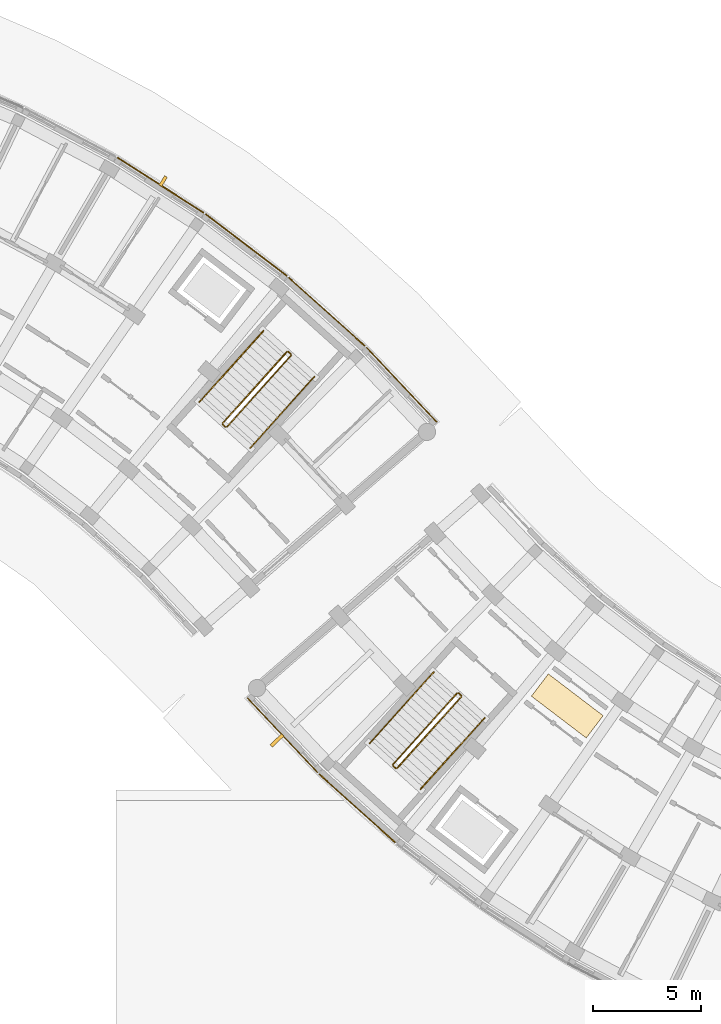
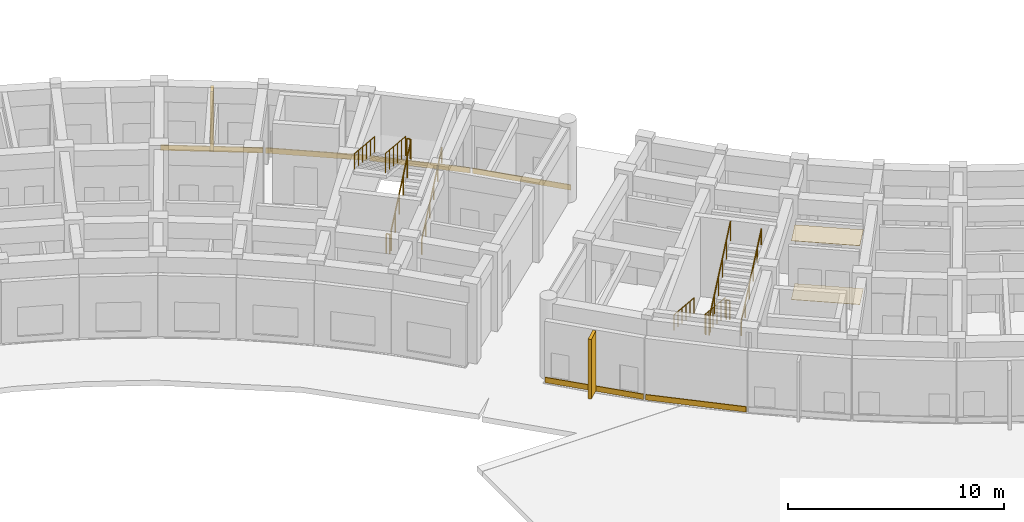
# One storey, part 56 of 61: 12 railings, 8 coverings, 2 shading devices.
"""IFC4 building model written with IfcOpenShell, lengths in metres."""

from ifc_helpers import new_model, si_unit, direction, frame, origin, origin_2d, place, context, subcontext, project, spatial, rectangle, circle, extrude, material, layer, layer_set, type_object, element, save


model = new_model("IFC4")

# Units and contexts
model_context = context("Model", 3, precision=1e-05, world=origin(), true_north=direction((0.0, 1.0)))
body_context = subcontext(model_context, "Body", "Model", "MODEL_VIEW")
ifc_project = project(units=[si_unit("LENGTHUNIT", "METRE"), si_unit("AREAUNIT", "SQUARE_METRE"), si_unit("VOLUMEUNIT", "CUBIC_METRE"), si_unit("PLANEANGLEUNIT", "RADIAN"), si_unit("MASSUNIT", "GRAM", prefix="KILO")], contexts=[model_context])

# Site, building, storey
site_placement = place(None, origin())
site = spatial("IfcSite", under=ifc_project, at=site_placement, CompositionType="ELEMENT")
building_placement = place(site_placement, origin())
building = spatial("IfcBuilding", under=site, at=building_placement, Name="Zimvara Arc Housing Community", CompositionType="ELEMENT")
storey_placement = place(building_placement, origin())
storey = spatial("IfcBuildingStorey", under=building, at=storey_placement, Name="L00", CompositionType="ELEMENT", Elevation=0.0)

# Coverings
ifc_material_1 = material(Name="Pale-Gold Anodised Aluminium Cladding", Category="aluminium")
ifc_layer_1 = layer(ifc_material_1, 0.0400390625)
ifc_layer_set_1 = layer_set([ifc_layer_1], Name="Pale-Gold Anodised Aluminium Cladding")
covering_type_1 = type_object("IfcCoveringType", Name="CLD-GOLD-01", PredefinedType="CLADDING", material=ifc_layer_set_1)
for number, where, z_axis, x_axis, name in (
    (1, (84.78076171875, 88.712158203125, 0.009765625), (0.0, 0.0, 1.0), (0.74337718344, -0.668872456557, 0.0), "cld:blkB:L00:out:b8"),
    (2, (82.72607421875, 69.04248046875, 0.009765625), (0.0, 0.0, 1.0), (0.686326266989, -0.727293788809, 0.0), "cld:blkC:L00:out:b0"),
):
    element("IfcCovering", number, at=place(storey_placement, frame(where, z_axis=z_axis, x_axis=x_axis)), inside=storey, type_object=covering_type_1, Name=name, PredefinedType="CLADDING", context=body_context, shape_type="SweptSolid", body=[
        extrude(rectangle(XDim=4.748779296875, YDim=0.0400390625, at=origin_2d()), origin(), (0.0, 0.0, 1.0), 0.300048828125),
    ])
ifc_material_2 = material(Name="Pale-Gold Anodised Aluminium Cladding", Category="aluminium")
ifc_layer_2 = layer(ifc_material_2, 0.044921875)
ifc_layer_set_2 = layer_set([ifc_layer_2], Name="Pale-Gold Anodised Aluminium Cladding")
covering_type_2 = type_object("IfcCoveringType", Name="CLD-GOLD-02", PredefinedType="CLADDING", material=ifc_layer_set_2)
for number, where, z_axis, x_axis, name in (
    (3, (88.259521484375, 85.32275390625, 0.009765625), (0.0, 0.0, 1.0), (0.686326266989, -0.727293788809, 0.0), "cld:blkB:L00:out:b9"),
    (4, (86.197509765625, 65.64599609375, 0.009765625), (0.0, 0.0, 1.0), (0.74337718344, -0.668872456557, 0.0), "cld:blkC:L00:out:b1"),
):
    element("IfcCovering", number, at=place(storey_placement, frame(where, z_axis=z_axis, x_axis=x_axis)), inside=storey, type_object=covering_type_2, Name=name, PredefinedType="CLADDING", context=body_context, shape_type="SweptSolid", body=[
        extrude(rectangle(XDim=4.748779296875, YDim=0.044921875, at=origin_2d()), origin(), (0.0, 0.0, 1.0), 0.300048828125),
    ])
ifc_material_3 = material(Name="Pale-Gold Anodised Aluminium Cladding", Category="aluminium")
ifc_layer_3 = layer(ifc_material_3, 0.050048828125)
ifc_layer_set_3 = layer_set([ifc_layer_3], Name="Pale-Gold Anodised Aluminium Cladding")
covering_type_3 = type_object("IfcCoveringType", Name="CLD-GOLD-03", PredefinedType="CLADDING", material=ifc_layer_set_3)
covering_1_placement = place(storey_placement, frame((77.060546875, 94.59326171875, 0.009765625), z_axis=(0.0, 0.0, 1.0), x_axis=(0.842265220048, -0.53906335351, 0.0)))
element("IfcCovering", 5, at=covering_1_placement, inside=storey, type_object=covering_type_3, Name="cld:blkB:L00:out:b6", PredefinedType="CLADDING", context=body_context, shape_type="SweptSolid", body=[
    extrude(rectangle(XDim=4.748779296875, YDim=0.050048828125, at=origin_2d()), origin(), (0.0, 0.0, 1.0), 0.300048828125),
])
ifc_material_4 = material(Name="Pale-Gold Anodised Aluminium Cladding", Category="aluminium")
ifc_layer_4 = layer(ifc_material_4, 0.054931640625)
ifc_layer_set_4 = layer_set([ifc_layer_4], Name="Pale-Gold Anodised Aluminium Cladding")
covering_type_4 = type_object("IfcCoveringType", Name="CLD-GOLD-04", PredefinedType="CLADDING", material=ifc_layer_set_4)
covering_2_placement = place(storey_placement, frame((81.044189453125, 91.814697265625, 0.009765625), z_axis=(0.0, 0.0, 1.0), x_axis=(0.795474538503, -0.605987011902, 0.0)))
element("IfcCovering", 6, at=covering_2_placement, inside=storey, type_object=covering_type_4, Name="cld:blkB:L00:out:b7", PredefinedType="CLADDING", context=body_context, shape_type="SweptSolid", body=[
    extrude(rectangle(XDim=4.748779296875, YDim=0.054931640625, at=origin_2d()), origin(), (0.0, 0.0, 1.0), 0.300048828125),
])
ifc_material_5 = material(Name="Perforated Acoustic Ceiling Board")
ifc_layer_5 = layer(ifc_material_5, 0.01806640625)
ifc_layer_set_5 = layer_set([ifc_layer_5], Name="Perforated Acoustic Ceiling Board")
covering_type_5 = type_object("IfcCoveringType", Name="COV-CEIL-01", PredefinedType="CEILING", material=ifc_layer_set_5)
covering_3_placement = place(storey_placement, frame((95.954833984375, 70.40087890625, 3.322021484375), z_axis=(0.0, 0.0, 1.0), x_axis=(-0.605988400266, -0.795473480855, 0.0)))
element("IfcCovering", 7, at=covering_3_placement, inside=storey, type_object=covering_type_5, Name="ceil:blkC:L00", PredefinedType="CEILING", context=body_context, shape_type="SweptSolid", body=[
    extrude(rectangle(XDim=1.300048828125, YDim=3.199951171875, at=origin_2d()), origin(), (0.0, 0.0, 1.0), 0.01806640625),
])
ifc_material_6 = material(Name="Polished Coastal Sand Terrazzo")
ifc_layer_6 = layer(ifc_material_6, 0.02001953125)
ifc_layer_set_6 = layer_set([ifc_layer_6], Name="Polished Coastal Sand Terrazzo")
covering_type_6 = type_object("IfcCoveringType", Name="COV-FLOR-01", PredefinedType="FLOORING", material=ifc_layer_set_6)
covering_4_placement = place(storey_placement, frame((95.954833984375, 70.40087890625, 0.0), z_axis=(0.0, 0.0, 1.0), x_axis=(-0.605988400266, -0.795473480855, 0.0)))
element("IfcCovering", 8, at=covering_4_placement, inside=storey, type_object=covering_type_6, Name="flor:blkC:L00", PredefinedType="FLOORING", context=body_context, shape_type="SweptSolid", body=[
    extrude(rectangle(XDim=1.300048828125, YDim=3.199951171875, at=origin_2d()), origin(), (0.0, 0.0, 1.0), 0.02001953125),
])

# Railings
ifc_material_7 = material(Name="Anodised Aluminium AW-6063", Category="aluminium")
railing_type_1 = type_object("IfcRailingType", Name="RLG-BAL-1120", PredefinedType="BALUSTRADE", material=ifc_material_7)
railing_1_placement = place(storey_placement, frame((80.1455078125, 83.365966796875, 0.14990234375)))
element("IfcRailing", 9, at=railing_1_placement, inside=storey, type_object=railing_type_1, Name="L00 ST-B2 stair guard 1", PredefinedType="BALUSTRADE", context=body_context, shape_type="SweptSolid", body=[
    extrude(circle(Radius=0.02392578125, at=origin_2d()), frame((0.0, 0.0, 1.09619140625), z_axis=(0.604934946501, 0.672337307106, 0.426633632025), x_axis=(-0.74338684902, 0.668861714186, 0.0)), (0.0, 0.0, 1.0), 4.92236328125),
    extrude(circle(Radius=0.02099609375, at=origin_2d()), origin(), (0.0, 0.0, 1.0), 1.072021484375),
    extrude(circle(Radius=0.02099609375, at=origin_2d()), frame((0.595458984375, 0.661865234375, 0.419921875)), (0.0, 0.0, 1.0), 1.072021484375),
    extrude(circle(Radius=0.02099609375, at=origin_2d()), frame((1.191162109375, 1.32373046875, 0.840087890625)), (0.0, 0.0, 1.0), 1.072021484375),
    extrude(circle(Radius=0.02099609375, at=origin_2d()), frame((1.78662109375, 1.98583984375, 1.260009765625)), (0.0, 0.0, 1.0), 1.072021484375),
    extrude(circle(Radius=0.02099609375, at=origin_2d()), frame((2.38232421875, 2.647705078125, 1.68017578125)), (0.0, 0.0, 1.0), 1.072021484375),
    extrude(circle(Radius=0.02099609375, at=origin_2d()), frame((2.977783203125, 3.3095703125, 2.10009765625)), (0.0, 0.0, 1.0), 1.072021484375),
])
railing_2_placement = place(storey_placement, frame((83.11962890625, 86.74609375, 2.25)))
element("IfcRailing", 10, at=railing_2_placement, inside=storey, type_object=railing_type_1, Name="L00 ST-B2 stair guard 2", PredefinedType="BALUSTRADE", context=body_context, shape_type="SweptSolid", body=[
    extrude(circle(Radius=0.02392578125, at=origin_2d()), frame((0.0, 0.0, 1.09619140625), z_axis=(-0.742763048172, 0.669554369913, 0.0), x_axis=(-0.669554369913, -0.742763048172, 0.0)), (0.0, 0.0, 1.0), 0.16015625),
    extrude(circle(Radius=0.02099609375, at=origin_2d()), origin(), (0.0, 0.0, 1.0), 1.072021484375),
    extrude(circle(Radius=0.02099609375, at=origin_2d()), frame((-0.118896484375, 0.107177734375, 0.0)), (0.0, 0.0, 1.0), 1.072021484375),
])
railing_3_placement = place(storey_placement, frame((82.929931640625, 86.849609375, 2.39990234375)))
element("IfcRailing", 11, at=railing_3_placement, inside=storey, type_object=railing_type_1, Name="L00 ST-B2 stair guard 3", PredefinedType="BALUSTRADE", context=body_context, shape_type="SweptSolid", body=[
    extrude(circle(Radius=0.02392578125, at=origin_2d()), frame((0.0, 0.0, 1.09619140625), z_axis=(-0.604934946501, -0.672337307106, 0.426633632025), x_axis=(0.74338684902, -0.668861714186, 0.0)), (0.0, 0.0, 1.0), 4.92236328125),
    extrude(circle(Radius=0.02099609375, at=origin_2d()), origin(), (0.0, 0.0, 1.0), 1.072021484375),
    extrude(circle(Radius=0.02099609375, at=origin_2d()), frame((-0.595458984375, -0.661865234375, 0.419921875)), (0.0, 0.0, 1.0), 1.072021484375),
    extrude(circle(Radius=0.02099609375, at=origin_2d()), frame((-1.191162109375, -1.32373046875, 0.840087890625)), (0.0, 0.0, 1.0), 1.072021484375),
    extrude(circle(Radius=0.02099609375, at=origin_2d()), frame((-1.78662109375, -1.98583984375, 1.260009765625)), (0.0, 0.0, 1.0), 1.072021484375),
    extrude(circle(Radius=0.02099609375, at=origin_2d()), frame((-2.38232421875, -2.647705078125, 1.68017578125)), (0.0, 0.0, 1.0), 1.072021484375),
    extrude(circle(Radius=0.02099609375, at=origin_2d()), frame((-2.977783203125, -3.3095703125, 2.10009765625)), (0.0, 0.0, 1.0), 1.072021484375),
])
railing_4_placement = place(storey_placement, frame((80.074951171875, 83.3623046875, 0.0)))
element("IfcRailing", 12, at=railing_4_placement, inside=storey, type_object=railing_type_1, Name="L00 ST-B2 stair guard 4", PredefinedType="BALUSTRADE", context=body_context, shape_type="SweptSolid", body=[
    extrude(circle(Radius=0.02392578125, at=origin_2d()), frame((0.0, 0.0, 1.09619140625), z_axis=(-0.742763048172, 0.669554369913, 0.0), x_axis=(-0.669554369913, -0.742763048172, 0.0)), (0.0, 0.0, 1.0), 0.16015625),
    extrude(circle(Radius=0.02099609375, at=origin_2d()), origin(), (0.0, 0.0, 1.0), 1.072021484375),
    extrude(circle(Radius=0.02099609375, at=origin_2d()), frame((-0.118896484375, 0.107177734375, 0.0)), (0.0, 0.0, 1.0), 1.072021484375),
])
railing_5_placement = place(storey_placement, frame((90.83447265625, 70.993896484375, 0.14990234375)))
element("IfcRailing", 13, at=railing_5_placement, inside=storey, type_object=railing_type_1, Name="L00 ST-C1 stair guard 1", PredefinedType="BALUSTRADE", context=body_context, shape_type="SweptSolid", body=[
    extrude(circle(Radius=0.02392578125, at=origin_2d()), frame((0.0, 0.0, 1.09619140625), z_axis=(-0.604934946501, -0.672337307106, 0.426633632025), x_axis=(0.74338684902, -0.668861714186, 0.0)), (0.0, 0.0, 1.0), 4.92236328125),
    extrude(circle(Radius=0.02099609375, at=origin_2d()), origin(), (0.0, 0.0, 1.0), 1.072021484375),
    extrude(circle(Radius=0.02099609375, at=origin_2d()), frame((-0.595458984375, -0.661865234375, 0.419921875)), (0.0, 0.0, 1.0), 1.072021484375),
    extrude(circle(Radius=0.02099609375, at=origin_2d()), frame((-1.191162109375, -1.32373046875, 0.840087890625)), (0.0, 0.0, 1.0), 1.072021484375),
    extrude(circle(Radius=0.02099609375, at=origin_2d()), frame((-1.78662109375, -1.98583984375, 1.260009765625)), (0.0, 0.0, 1.0), 1.072021484375),
    extrude(circle(Radius=0.02099609375, at=origin_2d()), frame((-2.38232421875, -2.647705078125, 1.68017578125)), (0.0, 0.0, 1.0), 1.072021484375),
    extrude(circle(Radius=0.02099609375, at=origin_2d()), frame((-2.977783203125, -3.3095703125, 2.10009765625)), (0.0, 0.0, 1.0), 1.072021484375),
])
railing_6_placement = place(storey_placement, frame((87.8603515625, 67.61376953125, 2.25)))
element("IfcRailing", 14, at=railing_6_placement, inside=storey, type_object=railing_type_1, Name="L00 ST-C1 stair guard 2", PredefinedType="BALUSTRADE", context=body_context, shape_type="SweptSolid", body=[
    extrude(circle(Radius=0.02392578125, at=origin_2d()), frame((0.0, 0.0, 1.09619140625), z_axis=(0.743521848755, -0.668711642207, 0.0), x_axis=(0.668711642207, 0.743521848755, 0.0)), (0.0, 0.0, 1.0), 0.159912109375),
    extrude(circle(Radius=0.02099609375, at=origin_2d()), origin(), (0.0, 0.0, 1.0), 1.072021484375),
    extrude(circle(Radius=0.02099609375, at=origin_2d()), frame((0.118896484375, -0.10693359375, 0.0)), (0.0, 0.0, 1.0), 1.072021484375),
])
railing_7_placement = place(storey_placement, frame((88.050048828125, 67.510498046875, 2.39990234375)))
element("IfcRailing", 15, at=railing_7_placement, inside=storey, type_object=railing_type_1, Name="L00 ST-C1 stair guard 3", PredefinedType="BALUSTRADE", context=body_context, shape_type="SweptSolid", body=[
    extrude(circle(Radius=0.02392578125, at=origin_2d()), frame((0.0, 0.0, 1.09619140625), z_axis=(0.604934946501, 0.672337307106, 0.426633632025), x_axis=(-0.74338684902, 0.668861714186, 0.0)), (0.0, 0.0, 1.0), 4.92236328125),
    extrude(circle(Radius=0.02099609375, at=origin_2d()), origin(), (0.0, 0.0, 1.0), 1.072021484375),
    extrude(circle(Radius=0.02099609375, at=origin_2d()), frame((0.595458984375, 0.661865234375, 0.419921875)), (0.0, 0.0, 1.0), 1.072021484375),
    extrude(circle(Radius=0.02099609375, at=origin_2d()), frame((1.191162109375, 1.32373046875, 0.840087890625)), (0.0, 0.0, 1.0), 1.072021484375),
    extrude(circle(Radius=0.02099609375, at=origin_2d()), frame((1.78662109375, 1.98583984375, 1.260009765625)), (0.0, 0.0, 1.0), 1.072021484375),
    extrude(circle(Radius=0.02099609375, at=origin_2d()), frame((2.38232421875, 2.647705078125, 1.68017578125)), (0.0, 0.0, 1.0), 1.072021484375),
    extrude(circle(Radius=0.02099609375, at=origin_2d()), frame((2.977783203125, 3.3095703125, 2.10009765625)), (0.0, 0.0, 1.0), 1.072021484375),
])
railing_8_placement = place(storey_placement, frame((90.905029296875, 70.99755859375, 0.0)))
element("IfcRailing", 16, at=railing_8_placement, inside=storey, type_object=railing_type_1, Name="L00 ST-C1 stair guard 4", PredefinedType="BALUSTRADE", context=body_context, shape_type="SweptSolid", body=[
    extrude(circle(Radius=0.02392578125, at=origin_2d()), frame((0.0, 0.0, 1.09619140625), z_axis=(0.744203407529, -0.667953058397, 0.0), x_axis=(0.667953058397, 0.744203407529, 0.0)), (0.0, 0.0, 1.0), 0.16015625),
    extrude(circle(Radius=0.02099609375, at=origin_2d()), origin(), (0.0, 0.0, 1.0), 1.072021484375),
    extrude(circle(Radius=0.02099609375, at=origin_2d()), frame((0.119140625, -0.10693359375, 0.0)), (0.0, 0.0, 1.0), 1.072021484375),
])
ifc_material_8 = material(Name="Anodised Aluminium AW-6063", Category="aluminium")
railing_type_2 = type_object("IfcRailingType", Name="RLG-HND-900", PredefinedType="HANDRAIL", material=ifc_material_8)
railing_9_placement = place(storey_placement, frame((81.230712890625, 82.389404296875, 0.14990234375)))
element("IfcRailing", 17, at=railing_9_placement, inside=storey, type_object=railing_type_2, Name="L00 ST-B2 stair handrail 1", PredefinedType="HANDRAIL", context=body_context, shape_type="SweptSolid", body=[
    extrude(circle(Radius=0.02392578125, at=origin_2d()), frame((0.0, 0.0, 0.8759765625), z_axis=(0.604966392266, 0.672317135067, 0.426620831798), x_axis=(-0.743359582581, 0.668892017433, 0.0)), (0.0, 0.0, 1.0), 4.922607421875),
    extrude(circle(Radius=0.02099609375, at=origin_2d()), origin(), (0.0, 0.0, 1.0), 0.851806640625),
    extrude(circle(Radius=0.02099609375, at=origin_2d()), frame((0.595703125, 0.661865234375, 0.419921875)), (0.0, 0.0, 1.0), 0.851806640625),
    extrude(circle(Radius=0.02099609375, at=origin_2d()), frame((1.191162109375, 1.32373046875, 0.840087890625)), (0.0, 0.0, 1.0), 0.851806640625),
    extrude(circle(Radius=0.02099609375, at=origin_2d()), frame((1.786865234375, 1.98583984375, 1.260009765625)), (0.0, 0.0, 1.0), 0.851806640625),
    extrude(circle(Radius=0.02099609375, at=origin_2d()), frame((2.38232421875, 2.647705078125, 1.68017578125)), (0.0, 0.0, 1.0), 0.851806640625),
    extrude(circle(Radius=0.02099609375, at=origin_2d()), frame((2.97802734375, 3.3095703125, 2.10009765625)), (0.0, 0.0, 1.0), 0.851806640625),
])
for number, where, name in (
    (18, (81.8447265625, 87.826171875, 2.39990234375), "L00 ST-B2 stair handrail 2"),
    (19, (89.749267578125, 71.970458984375, 0.14990234375), "L00 ST-C1 stair handrail 1"),
):
    element("IfcRailing", number, at=place(storey_placement, frame(where)), inside=storey, type_object=railing_type_2, Name=name, PredefinedType="HANDRAIL", context=body_context, shape_type="SweptSolid", body=[
        extrude(circle(Radius=0.02392578125, at=origin_2d()), frame((0.0, 0.0, 0.8759765625), z_axis=(-0.604934946501, -0.672337307106, 0.426633632025), x_axis=(0.74338684902, -0.668861714186, 0.0)), (0.0, 0.0, 1.0), 4.92236328125),
        extrude(circle(Radius=0.02099609375, at=origin_2d()), origin(), (0.0, 0.0, 1.0), 0.851806640625),
        extrude(circle(Radius=0.02099609375, at=origin_2d()), frame((-0.595458984375, -0.661865234375, 0.419921875)), (0.0, 0.0, 1.0), 0.851806640625),
        extrude(circle(Radius=0.02099609375, at=origin_2d()), frame((-1.191162109375, -1.32373046875, 0.840087890625)), (0.0, 0.0, 1.0), 0.851806640625),
        extrude(circle(Radius=0.02099609375, at=origin_2d()), frame((-1.78662109375, -1.98583984375, 1.260009765625)), (0.0, 0.0, 1.0), 0.851806640625),
        extrude(circle(Radius=0.02099609375, at=origin_2d()), frame((-2.38232421875, -2.647705078125, 1.68017578125)), (0.0, 0.0, 1.0), 0.851806640625),
        extrude(circle(Radius=0.02099609375, at=origin_2d()), frame((-2.977783203125, -3.3095703125, 2.10009765625)), (0.0, 0.0, 1.0), 0.851806640625),
    ])
railing_10_placement = place(storey_placement, frame((89.13525390625, 66.533935546875, 2.39990234375)))
element("IfcRailing", 20, at=railing_10_placement, inside=storey, type_object=railing_type_2, Name="L00 ST-C1 stair handrail 2", PredefinedType="HANDRAIL", context=body_context, shape_type="SweptSolid", body=[
    extrude(circle(Radius=0.02392578125, at=origin_2d()), frame((0.0, 0.0, 0.8759765625), z_axis=(0.604934946501, 0.672337307106, 0.426633632025), x_axis=(-0.74338684902, 0.668861714186, 0.0)), (0.0, 0.0, 1.0), 4.92236328125),
    extrude(circle(Radius=0.02099609375, at=origin_2d()), origin(), (0.0, 0.0, 1.0), 0.851806640625),
    extrude(circle(Radius=0.02099609375, at=origin_2d()), frame((0.595458984375, 0.661865234375, 0.419921875)), (0.0, 0.0, 1.0), 0.851806640625),
    extrude(circle(Radius=0.02099609375, at=origin_2d()), frame((1.191162109375, 1.32373046875, 0.840087890625)), (0.0, 0.0, 1.0), 0.851806640625),
    extrude(circle(Radius=0.02099609375, at=origin_2d()), frame((1.78662109375, 1.98583984375, 1.260009765625)), (0.0, 0.0, 1.0), 0.851806640625),
    extrude(circle(Radius=0.02099609375, at=origin_2d()), frame((2.38232421875, 2.647705078125, 1.68017578125)), (0.0, 0.0, 1.0), 0.851806640625),
    extrude(circle(Radius=0.02099609375, at=origin_2d()), frame((2.977783203125, 3.3095703125, 2.10009765625)), (0.0, 0.0, 1.0), 0.851806640625),
])

# Shading devices
ifc_material_9 = material(Name="Board-Marked Fair-Faced Concrete C40/50", Category="concrete")
shading_device_type_1 = type_object("IfcShadingDeviceType", Name="SHD-FIN-03", PredefinedType="JALOUSIE", material=ifc_material_9)
shading_device_1_placement = place(storey_placement, frame((82.468505859375, 68.799560546875, 0.0400390625), z_axis=(0.0, 0.0, 1.0), x_axis=(0.686326266989, -0.727293788809, 0.0)))
element("IfcShadingDevice", 21, at=shading_device_1_placement, inside=storey, type_object=shading_device_type_1, Name="fin:blkC:L00:out:b0", PredefinedType="JALOUSIE", context=body_context, shape_type="SweptSolid", body=[
    extrude(rectangle(XDim=0.159912109375, YDim=0.75, at=origin_2d()), origin(), (0.0, 0.0, 1.0), 3.3701171875),
])
ifc_material_10 = material(Name="Board-Marked Fair-Faced Concrete C40/50", Category="concrete")
shading_device_type_2 = type_object("IfcShadingDeviceType", Name="SHD-FIN-04", PredefinedType="JALOUSIE", material=ifc_material_10)
shading_device_2_placement = place(storey_placement, frame((77.181396484375, 94.781982421875, 0.0400390625), z_axis=(0.0, 0.0, 1.0), x_axis=(0.842265220048, -0.53906335351, 0.0)))
element("IfcShadingDevice", 22, at=shading_device_2_placement, inside=storey, type_object=shading_device_type_2, Name="fin:blkB:L00:out:b6", PredefinedType="JALOUSIE", context=body_context, shape_type="SweptSolid", body=[
    extrude(rectangle(XDim=0.14990234375, YDim=0.5, at=origin_2d()), origin(), (0.0, 0.0, 1.0), 3.3701171875),
])

save(model, "model.ifc")
